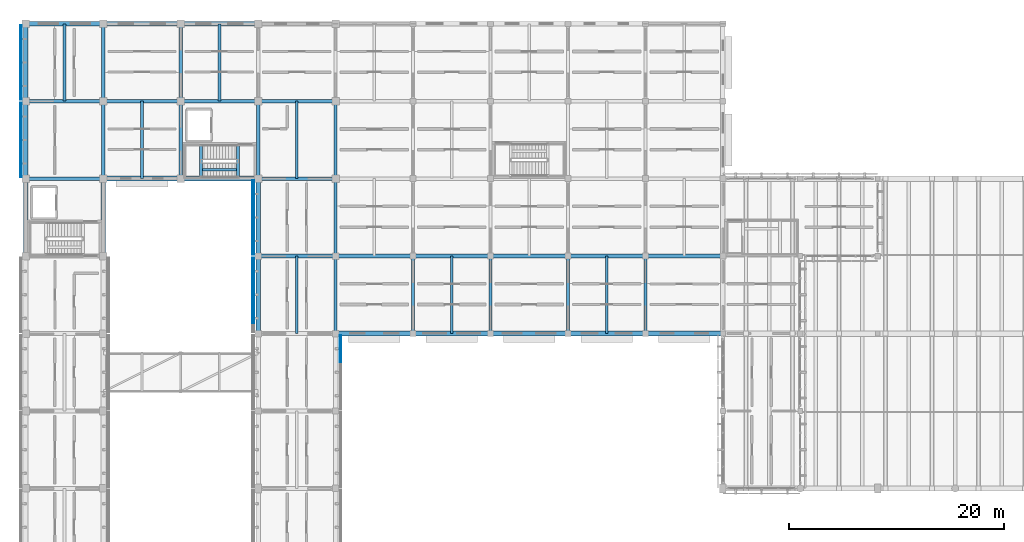
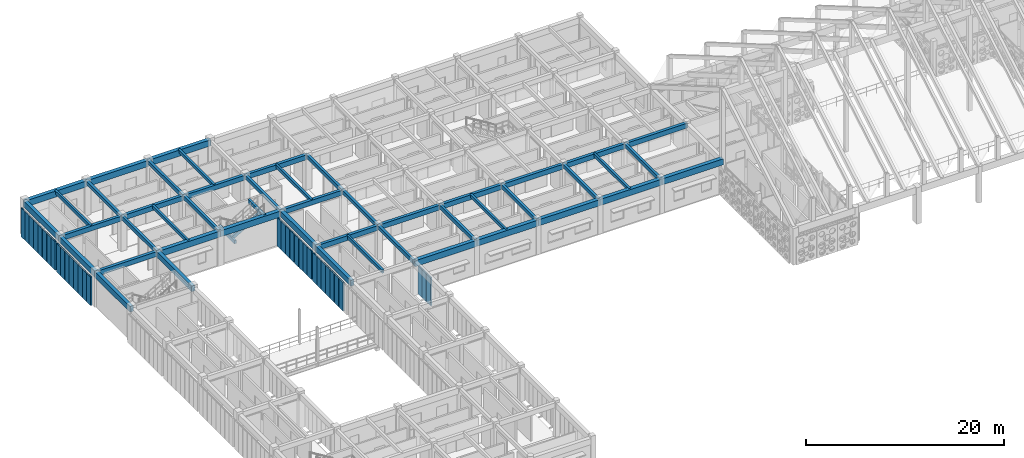
# One storey, part 13 of 171: 50 beams, 34 members, 5 elements without a shape of their own.
"""IFC4 building model written with IfcOpenShell, lengths in metres."""

from ifc_helpers import new_model, si_unit, direction, frame, origin, origin_2d, place, context, subcontext, project, spatial, rectangle, hollow_rectangle, extrude, material, material_profile, profile_set, type_object, element, aggregate, save


model = new_model("IFC4")

# Units and contexts
model_context = context("Model", 3, precision=1e-05, world=origin(), true_north=direction((0.0, 1.0)))
body_context = subcontext(model_context, "Body", "Model", "MODEL_VIEW")
ifc_project = project(units=[si_unit("LENGTHUNIT", "METRE"), si_unit("AREAUNIT", "SQUARE_METRE"), si_unit("VOLUMEUNIT", "CUBIC_METRE"), si_unit("PLANEANGLEUNIT", "RADIAN"), si_unit("MASSUNIT", "GRAM", prefix="KILO")], contexts=[model_context])

# Site, building, storey
site_placement = place(None, origin())
site = spatial("IfcSite", under=ifc_project, at=site_placement, CompositionType="ELEMENT")
building_placement = place(site_placement, origin())
building = spatial("IfcBuilding", under=site, at=building_placement, Name="Aldebral Square Health Centre", CompositionType="ELEMENT")
storey_placement = place(building_placement, frame((0.0, 0.0, 4.5)))
storey = spatial("IfcBuildingStorey", under=building, at=storey_placement, Name="L01", CompositionType="ELEMENT", Elevation=4.5)

# Beams
ifc_material_1 = material(Name="Concrete C40/50", Category="concrete")
ifc_material_profile_1 = material_profile(ifc_material_1, rectangle(XDim=0.35009765625, YDim=0.60009765625, at=origin_2d()), Name="RC 350x600")
ifc_profile_set_1 = profile_set([ifc_material_profile_1], Name="Concrete C40/50")
beam_type_1 = type_object("IfcBeamType", Name="BM-B2", PredefinedType="BEAM", material=ifc_profile_set_1)
for number, where, z_axis, x_axis, name in (
    (1, (0.0, 100.800048828125, 3.919921875), (1.0, 0.0, 0.0), (0.0, 1.0, 0.0), "L01 X-beam 1-2/G15"),
    (2, (0.0, 108.0, 3.919921875), (1.0, 0.0, 0.0), (0.0, 1.0, 0.0), "L01 X-beam 1-2/G16"),
    (3, (7.199951171875, 108.0, 3.919921875), (1.0, 0.0, 0.0), (0.0, 1.0, 0.0), "L01 X-beam 2-3/G16"),
):
    element("IfcBeam", number, at=place(storey_placement, frame(where, z_axis=z_axis, x_axis=x_axis)), inside=storey, type_object=beam_type_1, Name=name, PredefinedType="BEAM", context=body_context, shape_type="SweptSolid", body=[
        extrude(rectangle(XDim=0.35009765625, YDim=0.60009765625, at=origin_2d()), origin(), (0.0, 0.0, 1.0), 7.199951171875),
    ])
beam_1_placement = place(storey_placement, frame((14.39990234375, 108.0, 3.919921875), z_axis=(1.0, 0.0, 0.0), x_axis=(0.0, 1.0, 0.0)))
element("IfcBeam", 4, at=beam_1_placement, inside=storey, type_object=beam_type_1, Name="L01 X-beam 3-4/G16", PredefinedType="BEAM", context=body_context, shape_type="SweptSolid", body=[
    extrude(rectangle(XDim=0.35009765625, YDim=0.60009765625, at=origin_2d()), origin(), (0.0, 0.0, 1.0), 7.2001953125),
])
for number, where, z_axis, x_axis, name in (
    (5, (21.60009765625, 93.60009765625, 3.919921875), (1.0, 0.0, 0.0), (0.0, 1.0, 0.0), "L01 X-beam 4-5/G14"),
    (6, (21.60009765625, 100.800048828125, 3.919921875), (1.0, 0.0, 0.0), (0.0, 1.0, 0.0), "L01 X-beam 4-5/G15"),
    (7, (21.60009765625, 108.0, 3.919921875), (1.0, 0.0, 0.0), (0.0, 1.0, 0.0), "L01 X-beam 4-5/G16"),
    (8, (28.800048828125, 93.60009765625, 3.919921875), (1.0, 0.0, 0.0), (0.0, 1.0, 0.0), "L01 X-beam 5-6/G14"),
    (9, (36.0, 93.60009765625, 3.919921875), (1.0, 0.0, 0.0), (0.0, 1.0, 0.0), "L01 X-beam 6-7/G14"),
    (10, (43.199951171875, 93.60009765625, 3.919921875), (1.0, 0.0, 0.0), (0.0, 1.0, 0.0), "L01 X-beam 7-8/G14"),
):
    element("IfcBeam", number, at=place(storey_placement, frame(where, z_axis=z_axis, x_axis=x_axis)), inside=storey, type_object=beam_type_1, Name=name, PredefinedType="BEAM", context=body_context, shape_type="SweptSolid", body=[
        extrude(rectangle(XDim=0.35009765625, YDim=0.60009765625, at=origin_2d()), origin(), (0.0, 0.0, 1.0), 7.199951171875),
    ])
beam_2_placement = place(storey_placement, frame((50.39990234375, 93.60009765625, 3.919921875), z_axis=(1.0, 0.0, 0.0), x_axis=(0.0, 1.0, 0.0)))
element("IfcBeam", 11, at=beam_2_placement, inside=storey, type_object=beam_type_1, Name="L01 X-beam 8-9/G14", PredefinedType="BEAM", context=body_context, shape_type="SweptSolid", body=[
    extrude(rectangle(XDim=0.35009765625, YDim=0.60009765625, at=origin_2d()), origin(), (0.0, 0.0, 1.0), 7.2001953125),
])
beam_3_placement = place(storey_placement, frame((57.60009765625, 93.60009765625, 3.919921875), z_axis=(1.0, 0.0, 0.0), x_axis=(0.0, 1.0, 0.0)))
element("IfcBeam", 12, at=beam_3_placement, inside=storey, type_object=beam_type_1, Name="L01 X-beam 9-10/G14", PredefinedType="BEAM", context=body_context, shape_type="SweptSolid", body=[
    extrude(rectangle(XDim=0.35009765625, YDim=0.60009765625, at=origin_2d()), origin(), (0.0, 0.0, 1.0), 7.199951171875),
])
ifc_material_profile_2 = material_profile(ifc_material_1, rectangle(XDim=0.300048828125, YDim=0.449951171875, at=origin_2d()), Name="RC 300x450")
ifc_profile_set_2 = profile_set([ifc_material_profile_2], Name="Concrete C40/50")
beam_type_2 = type_object("IfcBeamType", Name="BM-B5", PredefinedType="BEAM", material=ifc_profile_set_2)
for number, where, z_axis, x_axis, name in (
    (13, (7.199951171875, 100.800048828125, 3.9951171875), (0.0, 1.0, 0.0), (-1.0, 0.0, 0.0), "L01 Y-beam G2/15-16"),
    (14, (7.199951171875, 108.0, 3.9951171875), (0.0, 1.0, 0.0), (-1.0, 0.0, 0.0), "L01 Y-beam G2/16-17"),
    (15, (14.39990234375, 100.800048828125, 3.9951171875), (0.0, 1.0, 0.0), (-1.0, 0.0, 0.0), "L01 Y-beam G3/15-16"),
    (16, (14.39990234375, 108.0, 3.9951171875), (0.0, 1.0, 0.0), (-1.0, 0.0, 0.0), "L01 Y-beam G3/16-17"),
    (17, (21.60009765625, 100.800048828125, 3.9951171875), (0.0, 1.0, 0.0), (-1.0, 0.0, 0.0), "L01 Y-beam G4/15-16"),
):
    element("IfcBeam", number, at=place(storey_placement, frame(where, z_axis=z_axis, x_axis=x_axis)), inside=storey, type_object=beam_type_2, Name=name, PredefinedType="BEAM", context=body_context, shape_type="SweptSolid", body=[
        extrude(rectangle(XDim=0.300048828125, YDim=0.449951171875, at=origin_2d()), origin(), (0.0, 0.0, 1.0), 7.199951171875),
    ])
beam_4_placement = place(storey_placement, frame((28.800048828125, 86.39990234375, 3.9951171875), z_axis=(0.0, 1.0, 0.0), x_axis=(-1.0, 0.0, 0.0)))
element("IfcBeam", 18, at=beam_4_placement, inside=storey, type_object=beam_type_2, Name="L01 Y-beam G5/13-14", PredefinedType="BEAM", context=body_context, shape_type="SweptSolid", body=[
    extrude(rectangle(XDim=0.300048828125, YDim=0.449951171875, at=origin_2d()), origin(), (0.0, 0.0, 1.0), 7.2001953125),
])
for number, where, z_axis, x_axis, name in (
    (19, (28.800048828125, 93.60009765625, 3.9951171875), (0.0, 1.0, 0.0), (-1.0, 0.0, 0.0), "L01 Y-beam G5/14-15"),
    (20, (28.800048828125, 100.800048828125, 3.9951171875), (0.0, 1.0, 0.0), (-1.0, 0.0, 0.0), "L01 Y-beam G5/15-16"),
):
    element("IfcBeam", number, at=place(storey_placement, frame(where, z_axis=z_axis, x_axis=x_axis)), inside=storey, type_object=beam_type_2, Name=name, PredefinedType="BEAM", context=body_context, shape_type="SweptSolid", body=[
        extrude(rectangle(XDim=0.300048828125, YDim=0.449951171875, at=origin_2d()), origin(), (0.0, 0.0, 1.0), 7.199951171875),
    ])
for number, where, z_axis, x_axis, name in (
    (21, (36.0, 86.39990234375, 3.9951171875), (0.0, 1.0, 0.0), (-1.0, 0.0, 0.0), "L01 Y-beam G6/13-14"),
    (22, (43.199951171875, 86.39990234375, 3.9951171875), (0.0, 1.0, 0.0), (-1.0, 0.0, 0.0), "L01 Y-beam G7/13-14"),
    (23, (50.39990234375, 86.39990234375, 3.9951171875), (0.0, 1.0, 0.0), (-1.0, 0.0, 0.0), "L01 Y-beam G8/13-14"),
    (24, (57.60009765625, 86.39990234375, 3.9951171875), (0.0, 1.0, 0.0), (-1.0, 0.0, 0.0), "L01 Y-beam G9/13-14"),
):
    element("IfcBeam", number, at=place(storey_placement, frame(where, z_axis=z_axis, x_axis=x_axis)), inside=storey, type_object=beam_type_2, Name=name, PredefinedType="BEAM", context=body_context, shape_type="SweptSolid", body=[
        extrude(rectangle(XDim=0.300048828125, YDim=0.449951171875, at=origin_2d()), origin(), (0.0, 0.0, 1.0), 7.2001953125),
    ])
ifc_material_profile_3 = material_profile(ifc_material_1, rectangle(XDim=0.25, YDim=0.39990234375, at=origin_2d()), Name="RC 250x400")
ifc_profile_set_3 = profile_set([ifc_material_profile_3], Name="Concrete C40/50")
beam_type_3 = type_object("IfcBeamType", Name="BM-B6", PredefinedType="JOIST", material=ifc_profile_set_3)
for number, where, z_axis, x_axis, name in (
    (25, (3.60009765625, 108.0, 4.02001953125), (0.0, 1.0, 0.0), (-1.0, 0.0, 0.0), "L01 secondary rib 1.16"),
    (26, (10.800048828125, 100.800048828125, 4.02001953125), (0.0, 1.0, 0.0), (-1.0, 0.0, 0.0), "L01 secondary rib 2.15"),
    (27, (18.0, 108.0, 4.02001953125), (0.0, 1.0, 0.0), (-1.0, 0.0, 0.0), "L01 secondary rib 3.16"),
):
    element("IfcBeam", number, at=place(storey_placement, frame(where, z_axis=z_axis, x_axis=x_axis)), inside=storey, type_object=beam_type_3, Name=name, PredefinedType="JOIST", context=body_context, shape_type="SweptSolid", body=[
        extrude(rectangle(XDim=0.25, YDim=0.39990234375, at=origin_2d()), origin(), (0.0, 0.0, 1.0), 7.199951171875),
    ])
beam_5_placement = place(storey_placement, frame((25.199951171875, 86.39990234375, 4.02001953125), z_axis=(0.0, 1.0, 0.0), x_axis=(-1.0, 0.0, 0.0)))
element("IfcBeam", 28, at=beam_5_placement, inside=storey, type_object=beam_type_3, Name="L01 secondary rib 4.13", PredefinedType="JOIST", context=body_context, shape_type="SweptSolid", body=[
    extrude(rectangle(XDim=0.25, YDim=0.39990234375, at=origin_2d()), origin(), (0.0, 0.0, 1.0), 7.2001953125),
])
beam_6_placement = place(storey_placement, frame((25.199951171875, 100.800048828125, 4.02001953125), z_axis=(0.0, 1.0, 0.0), x_axis=(-1.0, 0.0, 0.0)))
element("IfcBeam", 29, at=beam_6_placement, inside=storey, type_object=beam_type_3, Name="L01 secondary rib 4.15", PredefinedType="JOIST", context=body_context, shape_type="SweptSolid", body=[
    extrude(rectangle(XDim=0.25, YDim=0.39990234375, at=origin_2d()), origin(), (0.0, 0.0, 1.0), 7.199951171875),
])
for number, where, z_axis, x_axis, name in (
    (30, (39.60009765625, 86.39990234375, 4.02001953125), (0.0, 1.0, 0.0), (-1.0, 0.0, 0.0), "L01 secondary rib 6.13"),
    (31, (54.0, 86.39990234375, 4.02001953125), (0.0, 1.0, 0.0), (-1.0, 0.0, 0.0), "L01 secondary rib 8.13"),
):
    element("IfcBeam", number, at=place(storey_placement, frame(where, z_axis=z_axis, x_axis=x_axis)), inside=storey, type_object=beam_type_3, Name=name, PredefinedType="JOIST", context=body_context, shape_type="SweptSolid", body=[
        extrude(rectangle(XDim=0.25, YDim=0.39990234375, at=origin_2d()), origin(), (0.0, 0.0, 1.0), 7.2001953125),
    ])
for number, where, z_axis, x_axis, name in (
    (32, (16.280029296875, 100.81005859375, 2.050048828125), (0.0, 1.0, 0.0), (-1.0, 0.0, 0.0), "L01 WC-C2 half-landing beam"),
    (33, (19.719970703125, 100.81005859375, 4.02001953125), (0.0, 1.0, 0.0), (-1.0, 0.0, 0.0), "L01 WC-C2 upper landing beam"),
):
    element("IfcBeam", number, at=place(storey_placement, frame(where, z_axis=z_axis, x_axis=x_axis)), inside=storey, type_object=beam_type_3, Name=name, PredefinedType="JOIST", context=body_context, shape_type="SweptSolid", body=[
        extrude(rectangle(XDim=0.25, YDim=0.39990234375, at=origin_2d()), origin(), (0.0, 0.0, 1.0), 3.219970703125),
    ])
beam_7_placement = place(storey_placement, frame((16.280029296875, 101.6201171875, 2.050048828125), z_axis=(0.867776584178, 0.0, 0.496954525034), x_axis=(0.0, 1.0, 0.0)))
element("IfcBeam", 34, at=beam_7_placement, inside=storey, type_object=beam_type_3, Name="L01 WC-C2 flight stringer beam", PredefinedType="JOIST", context=body_context, shape_type="SweptSolid", body=[
    extrude(rectangle(XDim=0.25, YDim=0.39990234375, at=origin_2d()), origin(), (0.0, 0.0, 1.0), 3.964111328125),
])
ifc_material_profile_4 = material_profile(ifc_material_1, rectangle(XDim=0.449951171875, YDim=0.75, at=origin_2d()), Name="RC 450x750")
ifc_profile_set_4 = profile_set([ifc_material_profile_4], Name="Concrete C40/50")
beam_type_4 = type_object("IfcBeamType", Name="BM-G2", PredefinedType="T_BEAM", material=ifc_profile_set_4)
for number, where, z_axis, x_axis, name in (
    (35, (0.0, 115.199951171875, 3.844970703125), (1.0, 0.0, 0.0), (0.0, 1.0, 0.0), "L01 X-beam 1-2/G17"),
    (36, (7.199951171875, 100.800048828125, 3.844970703125), (1.0, 0.0, 0.0), (0.0, 1.0, 0.0), "L01 X-beam 2-3/G15"),
    (37, (7.199951171875, 115.199951171875, 3.844970703125), (1.0, 0.0, 0.0), (0.0, 1.0, 0.0), "L01 X-beam 2-3/G17"),
):
    element("IfcBeam", number, at=place(storey_placement, frame(where, z_axis=z_axis, x_axis=x_axis)), inside=storey, type_object=beam_type_4, Name=name, PredefinedType="T_BEAM", context=body_context, shape_type="SweptSolid", body=[
        extrude(rectangle(XDim=0.449951171875, YDim=0.75, at=origin_2d()), origin(), (0.0, 0.0, 1.0), 7.199951171875),
    ])
for number, where, z_axis, x_axis, name in (
    (38, (14.39990234375, 100.800048828125, 3.844970703125), (1.0, 0.0, 0.0), (0.0, 1.0, 0.0), "L01 X-beam 3-4/G15"),
    (39, (14.39990234375, 115.199951171875, 3.844970703125), (1.0, 0.0, 0.0), (0.0, 1.0, 0.0), "L01 X-beam 3-4/G17"),
):
    element("IfcBeam", number, at=place(storey_placement, frame(where, z_axis=z_axis, x_axis=x_axis)), inside=storey, type_object=beam_type_4, Name=name, PredefinedType="T_BEAM", context=body_context, shape_type="SweptSolid", body=[
        extrude(rectangle(XDim=0.449951171875, YDim=0.75, at=origin_2d()), origin(), (0.0, 0.0, 1.0), 7.2001953125),
    ])
for number, where, z_axis, x_axis, name in (
    (40, (28.800048828125, 86.39990234375, 3.844970703125), (1.0, 0.0, 0.0), (0.0, 1.0, 0.0), "L01 X-beam 5-6/G13"),
    (41, (36.0, 86.39990234375, 3.844970703125), (1.0, 0.0, 0.0), (0.0, 1.0, 0.0), "L01 X-beam 6-7/G13"),
    (42, (43.199951171875, 86.39990234375, 3.844970703125), (1.0, 0.0, 0.0), (0.0, 1.0, 0.0), "L01 X-beam 7-8/G13"),
):
    element("IfcBeam", number, at=place(storey_placement, frame(where, z_axis=z_axis, x_axis=x_axis)), inside=storey, type_object=beam_type_4, Name=name, PredefinedType="T_BEAM", context=body_context, shape_type="SweptSolid", body=[
        extrude(rectangle(XDim=0.449951171875, YDim=0.75, at=origin_2d()), origin(), (0.0, 0.0, 1.0), 7.199951171875),
    ])
beam_8_placement = place(storey_placement, frame((50.39990234375, 86.39990234375, 3.844970703125), z_axis=(1.0, 0.0, 0.0), x_axis=(0.0, 1.0, 0.0)))
element("IfcBeam", 43, at=beam_8_placement, inside=storey, type_object=beam_type_4, Name="L01 X-beam 8-9/G13", PredefinedType="T_BEAM", context=body_context, shape_type="SweptSolid", body=[
    extrude(rectangle(XDim=0.449951171875, YDim=0.75, at=origin_2d()), origin(), (0.0, 0.0, 1.0), 7.2001953125),
])
beam_9_placement = place(storey_placement, frame((57.60009765625, 86.39990234375, 3.844970703125), z_axis=(1.0, 0.0, 0.0), x_axis=(0.0, 1.0, 0.0)))
element("IfcBeam", 44, at=beam_9_placement, inside=storey, type_object=beam_type_4, Name="L01 X-beam 9-10/G13", PredefinedType="T_BEAM", context=body_context, shape_type="SweptSolid", body=[
    extrude(rectangle(XDim=0.449951171875, YDim=0.75, at=origin_2d()), origin(), (0.0, 0.0, 1.0), 7.199951171875),
])
ifc_material_profile_5 = material_profile(ifc_material_1, rectangle(XDim=0.39990234375, YDim=0.699951171875, at=origin_2d()), Name="RC 400x700")
ifc_profile_set_5 = profile_set([ifc_material_profile_5], Name="Concrete C40/50")
beam_type_5 = type_object("IfcBeamType", Name="BM-G3", PredefinedType="T_BEAM", material=ifc_profile_set_5)
for number, where, z_axis, x_axis, name in (
    (45, (0.0, 93.60009765625, 3.8701171875), (0.0, 1.0, 0.0), (-1.0, 0.0, 0.0), "L01 Y-beam G1/14-15"),
    (46, (0.0, 100.800048828125, 3.8701171875), (0.0, 1.0, 0.0), (-1.0, 0.0, 0.0), "L01 Y-beam G1/15-16"),
    (47, (0.0, 108.0, 3.8701171875), (0.0, 1.0, 0.0), (-1.0, 0.0, 0.0), "L01 Y-beam G1/16-17"),
    (48, (7.199951171875, 93.60009765625, 3.8701171875), (0.0, 1.0, 0.0), (-1.0, 0.0, 0.0), "L01 Y-beam G2/14-15"),
):
    element("IfcBeam", number, at=place(storey_placement, frame(where, z_axis=z_axis, x_axis=x_axis)), inside=storey, type_object=beam_type_5, Name=name, PredefinedType="T_BEAM", context=body_context, shape_type="SweptSolid", body=[
        extrude(rectangle(XDim=0.39990234375, YDim=0.699951171875, at=origin_2d()), origin(), (0.0, 0.0, 1.0), 7.199951171875),
    ])
beam_10_placement = place(storey_placement, frame((21.60009765625, 86.39990234375, 3.8701171875), z_axis=(0.0, 1.0, 0.0), x_axis=(-1.0, 0.0, 0.0)))
element("IfcBeam", 49, at=beam_10_placement, inside=storey, type_object=beam_type_5, Name="L01 Y-beam G4/13-14", PredefinedType="T_BEAM", context=body_context, shape_type="SweptSolid", body=[
    extrude(rectangle(XDim=0.39990234375, YDim=0.699951171875, at=origin_2d()), origin(), (0.0, 0.0, 1.0), 7.2001953125),
])
beam_11_placement = place(storey_placement, frame((21.60009765625, 93.60009765625, 3.8701171875), z_axis=(0.0, 1.0, 0.0), x_axis=(-1.0, 0.0, 0.0)))
element("IfcBeam", 50, at=beam_11_placement, inside=storey, type_object=beam_type_5, Name="L01 Y-beam G4/14-15", PredefinedType="T_BEAM", context=body_context, shape_type="SweptSolid", body=[
    extrude(rectangle(XDim=0.39990234375, YDim=0.699951171875, at=origin_2d()), origin(), (0.0, 0.0, 1.0), 7.199951171875),
])

# Curtain wall, members
ifc_material_2 = material(Name="Aluminium and low-E solar glass", Category="aluminium")
curtain_wall_type = type_object("IfcCurtainWallType", Name="CW-FIN-SYS", PredefinedType="USERDEFINED", material=ifc_material_2)
curtain_wall_1_placement = place(storey_placement, origin())
curtain_wall_1 = element("IfcCurtainWall", 51, at=curtain_wall_1_placement, inside=storey, type_object=curtain_wall_type, Name="L01 V4 finned curtain wall L01-V4-00-14-W", ObjectType="SOLAR_CURTAIN_WALL", PredefinedType="USERDEFINED")
ifc_material_3 = material(Name="Sienna-terracotta clad aluminium fin", Category="masonry")
ifc_material_profile_6 = material_profile(ifc_material_3, hollow_rectangle(XDim=0.159912109375, YDim=0.85009765625, WallThickness=0.006103515625, at=origin_2d()), Name="FIN 160x850x6")
ifc_profile_set_6 = profile_set([ifc_material_profile_6], Name="Sienna-terracotta clad aluminium fin")
member_type = type_object("IfcMemberType", Name="CWM-FIN", PredefinedType="MULLION", material=ifc_profile_set_6)
member_1_placement = place(storey_placement, frame((-0.4599609375, 107.43994140625, 0.0), z_axis=(0.0, 0.0, 1.0), x_axis=(1.0, 0.0, 0.0)))
member_1 = element("IfcMember", 52, at=member_1_placement, type_object=member_type, Name="CW1 mullion 1", PredefinedType="MULLION", context=body_context, shape_type="SweptSolid", body=[
    extrude(hollow_rectangle(XDim=0.159912109375, YDim=0.85009765625, WallThickness=0.006103515625, at=origin_2d()), origin(), (0.0, 0.0, 1.0), 3.52001953125),
])
member_2_placement = place(storey_placement, frame((-0.4599609375, 106.628662109375, 0.0), z_axis=(0.0, 0.0, 1.0), x_axis=(1.0, 0.0, 0.0)))
member_2 = element("IfcMember", 53, at=member_2_placement, type_object=member_type, Name="CW1 mullion 2", PredefinedType="MULLION", context=body_context, shape_type="SweptSolid", body=[
    extrude(hollow_rectangle(XDim=0.159912109375, YDim=0.85009765625, WallThickness=0.006103515625, at=origin_2d()), origin(), (0.0, 0.0, 1.0), 3.52001953125),
])
member_3_placement = place(storey_placement, frame((-0.4599609375, 105.737060546875, 0.0), z_axis=(0.0, 0.0, 1.0), x_axis=(1.0, 0.0, 0.0)))
member_3 = element("IfcMember", 54, at=member_3_placement, type_object=member_type, Name="CW1 mullion 3", PredefinedType="MULLION", context=body_context, shape_type="SweptSolid", body=[
    extrude(hollow_rectangle(XDim=0.159912109375, YDim=0.85009765625, WallThickness=0.006103515625, at=origin_2d()), origin(), (0.0, 0.0, 1.0), 3.52001953125),
])
member_4_placement = place(storey_placement, frame((-0.4599609375, 104.845703125, 0.0), z_axis=(0.0, 0.0, 1.0), x_axis=(1.0, 0.0, 0.0)))
member_4 = element("IfcMember", 55, at=member_4_placement, type_object=member_type, Name="CW1 mullion 4", PredefinedType="MULLION", context=body_context, shape_type="SweptSolid", body=[
    extrude(hollow_rectangle(XDim=0.159912109375, YDim=0.85009765625, WallThickness=0.006103515625, at=origin_2d()), origin(), (0.0, 0.0, 1.0), 3.52001953125),
])
member_5_placement = place(storey_placement, frame((-0.4599609375, 103.954345703125, 0.0), z_axis=(0.0, 0.0, 1.0), x_axis=(1.0, 0.0, 0.0)))
member_5 = element("IfcMember", 56, at=member_5_placement, type_object=member_type, Name="CW1 mullion 5", PredefinedType="MULLION", context=body_context, shape_type="SweptSolid", body=[
    extrude(hollow_rectangle(XDim=0.159912109375, YDim=0.85009765625, WallThickness=0.006103515625, at=origin_2d()), origin(), (0.0, 0.0, 1.0), 3.52001953125),
])
member_6_placement = place(storey_placement, frame((-0.4599609375, 103.062744140625, 0.0), z_axis=(0.0, 0.0, 1.0), x_axis=(1.0, 0.0, 0.0)))
member_6 = element("IfcMember", 57, at=member_6_placement, type_object=member_type, Name="CW1 mullion 6", PredefinedType="MULLION", context=body_context, shape_type="SweptSolid", body=[
    extrude(hollow_rectangle(XDim=0.159912109375, YDim=0.85009765625, WallThickness=0.006103515625, at=origin_2d()), origin(), (0.0, 0.0, 1.0), 3.52001953125),
])
member_7_placement = place(storey_placement, frame((-0.4599609375, 102.17138671875, 0.0), z_axis=(0.0, 0.0, 1.0), x_axis=(1.0, 0.0, 0.0)))
member_7 = element("IfcMember", 58, at=member_7_placement, type_object=member_type, Name="CW1 mullion 7", PredefinedType="MULLION", context=body_context, shape_type="SweptSolid", body=[
    extrude(hollow_rectangle(XDim=0.159912109375, YDim=0.85009765625, WallThickness=0.006103515625, at=origin_2d()), origin(), (0.0, 0.0, 1.0), 3.52001953125),
])
member_8_placement = place(storey_placement, frame((-0.4599609375, 101.360107421875, 0.0), z_axis=(0.0, 0.0, 1.0), x_axis=(1.0, 0.0, 0.0)))
member_8 = element("IfcMember", 59, at=member_8_placement, type_object=member_type, Name="CW1 mullion 8", PredefinedType="MULLION", context=body_context, shape_type="SweptSolid", body=[
    extrude(hollow_rectangle(XDim=0.159912109375, YDim=0.85009765625, WallThickness=0.006103515625, at=origin_2d()), origin(), (0.0, 0.0, 1.0), 3.52001953125),
])
aggregate(curtain_wall_1, [member_1, member_2, member_3, member_4, member_5, member_6, member_7, member_8])

curtain_wall_2_placement = place(storey_placement, origin())
curtain_wall_2 = element("IfcCurtainWall", 60, at=curtain_wall_2_placement, inside=storey, type_object=curtain_wall_type, Name="L01 V4 finned curtain wall L01-V4-00-15-W", ObjectType="SOLAR_CURTAIN_WALL", PredefinedType="USERDEFINED")
member_9_placement = place(storey_placement, frame((-0.4599609375, 114.639892578125, 0.0), z_axis=(0.0, 0.0, 1.0), x_axis=(1.0, 0.0, 0.0)))
member_9 = element("IfcMember", 61, at=member_9_placement, type_object=member_type, Name="CW1 mullion 1", PredefinedType="MULLION", context=body_context, shape_type="SweptSolid", body=[
    extrude(hollow_rectangle(XDim=0.159912109375, YDim=0.85009765625, WallThickness=0.006103515625, at=origin_2d()), origin(), (0.0, 0.0, 1.0), 3.52001953125),
])
member_10_placement = place(storey_placement, frame((-0.4599609375, 113.82861328125, 0.0), z_axis=(0.0, 0.0, 1.0), x_axis=(1.0, 0.0, 0.0)))
member_10 = element("IfcMember", 62, at=member_10_placement, type_object=member_type, Name="CW1 mullion 2", PredefinedType="MULLION", context=body_context, shape_type="SweptSolid", body=[
    extrude(hollow_rectangle(XDim=0.159912109375, YDim=0.85009765625, WallThickness=0.006103515625, at=origin_2d()), origin(), (0.0, 0.0, 1.0), 3.52001953125),
])
member_11_placement = place(storey_placement, frame((-0.4599609375, 112.937255859375, 0.0), z_axis=(0.0, 0.0, 1.0), x_axis=(1.0, 0.0, 0.0)))
member_11 = element("IfcMember", 63, at=member_11_placement, type_object=member_type, Name="CW1 mullion 3", PredefinedType="MULLION", context=body_context, shape_type="SweptSolid", body=[
    extrude(hollow_rectangle(XDim=0.159912109375, YDim=0.85009765625, WallThickness=0.006103515625, at=origin_2d()), origin(), (0.0, 0.0, 1.0), 3.52001953125),
])
member_12_placement = place(storey_placement, frame((-0.4599609375, 112.045654296875, 0.0), z_axis=(0.0, 0.0, 1.0), x_axis=(1.0, 0.0, 0.0)))
member_12 = element("IfcMember", 64, at=member_12_placement, type_object=member_type, Name="CW1 mullion 4", PredefinedType="MULLION", context=body_context, shape_type="SweptSolid", body=[
    extrude(hollow_rectangle(XDim=0.159912109375, YDim=0.85009765625, WallThickness=0.006103515625, at=origin_2d()), origin(), (0.0, 0.0, 1.0), 3.52001953125),
])
member_13_placement = place(storey_placement, frame((-0.4599609375, 111.154296875, 0.0), z_axis=(0.0, 0.0, 1.0), x_axis=(1.0, 0.0, 0.0)))
member_13 = element("IfcMember", 65, at=member_13_placement, type_object=member_type, Name="CW1 mullion 5", PredefinedType="MULLION", context=body_context, shape_type="SweptSolid", body=[
    extrude(hollow_rectangle(XDim=0.159912109375, YDim=0.85009765625, WallThickness=0.006103515625, at=origin_2d()), origin(), (0.0, 0.0, 1.0), 3.52001953125),
])
member_14_placement = place(storey_placement, frame((-0.4599609375, 110.262939453125, 0.0), z_axis=(0.0, 0.0, 1.0), x_axis=(1.0, 0.0, 0.0)))
member_14 = element("IfcMember", 66, at=member_14_placement, type_object=member_type, Name="CW1 mullion 6", PredefinedType="MULLION", context=body_context, shape_type="SweptSolid", body=[
    extrude(hollow_rectangle(XDim=0.159912109375, YDim=0.85009765625, WallThickness=0.006103515625, at=origin_2d()), origin(), (0.0, 0.0, 1.0), 3.52001953125),
])
member_15_placement = place(storey_placement, frame((-0.4599609375, 109.371337890625, 0.0), z_axis=(0.0, 0.0, 1.0), x_axis=(1.0, 0.0, 0.0)))
member_15 = element("IfcMember", 67, at=member_15_placement, type_object=member_type, Name="CW1 mullion 7", PredefinedType="MULLION", context=body_context, shape_type="SweptSolid", body=[
    extrude(hollow_rectangle(XDim=0.159912109375, YDim=0.85009765625, WallThickness=0.006103515625, at=origin_2d()), origin(), (0.0, 0.0, 1.0), 3.52001953125),
])
member_16_placement = place(storey_placement, frame((-0.4599609375, 108.56005859375, 0.0), z_axis=(0.0, 0.0, 1.0), x_axis=(1.0, 0.0, 0.0)))
member_16 = element("IfcMember", 68, at=member_16_placement, type_object=member_type, Name="CW1 mullion 8", PredefinedType="MULLION", context=body_context, shape_type="SweptSolid", body=[
    extrude(hollow_rectangle(XDim=0.159912109375, YDim=0.85009765625, WallThickness=0.006103515625, at=origin_2d()), origin(), (0.0, 0.0, 1.0), 3.52001953125),
])
aggregate(curtain_wall_2, [member_9, member_10, member_11, member_12, member_13, member_14, member_15, member_16])

curtain_wall_3_placement = place(storey_placement, origin())
curtain_wall_3 = element("IfcCurtainWall", 69, at=curtain_wall_3_placement, inside=storey, type_object=curtain_wall_type, Name="L01 V4 finned curtain wall L01-V4-03-11-E", ObjectType="SOLAR_CURTAIN_WALL", PredefinedType="USERDEFINED")
member_17_placement = place(storey_placement, frame((29.260009765625, 84.13720703125, 0.0), z_axis=(0.0, 0.0, 1.0), x_axis=(-1.0, 0.0, 0.0)))
member_17 = element("IfcMember", 70, at=member_17_placement, type_object=member_type, Name="CW1 mullion 6", PredefinedType="MULLION", context=body_context, shape_type="SweptSolid", body=[
    extrude(hollow_rectangle(XDim=0.159912109375, YDim=0.85009765625, WallThickness=0.006103515625, at=origin_2d()), origin(), (0.0, 0.0, 1.0), 3.52001953125),
])
member_18_placement = place(storey_placement, frame((29.260009765625, 85.028564453125, 0.0), z_axis=(0.0, 0.0, 1.0), x_axis=(-1.0, 0.0, 0.0)))
member_18 = element("IfcMember", 71, at=member_18_placement, type_object=member_type, Name="CW1 mullion 7", PredefinedType="MULLION", context=body_context, shape_type="SweptSolid", body=[
    extrude(hollow_rectangle(XDim=0.159912109375, YDim=0.85009765625, WallThickness=0.006103515625, at=origin_2d()), origin(), (0.0, 0.0, 1.0), 3.52001953125),
])
member_19_placement = place(storey_placement, frame((29.260009765625, 85.840087890625, 0.0), z_axis=(0.0, 0.0, 1.0), x_axis=(-1.0, 0.0, 0.0)))
member_19 = element("IfcMember", 72, at=member_19_placement, type_object=member_type, Name="CW1 mullion 8", PredefinedType="MULLION", context=body_context, shape_type="SweptSolid", body=[
    extrude(hollow_rectangle(XDim=0.159912109375, YDim=0.85009765625, WallThickness=0.006103515625, at=origin_2d()), origin(), (0.0, 0.0, 1.0), 3.52001953125),
])
aggregate(curtain_wall_3, [member_17, member_18, member_19])

curtain_wall_4_placement = place(storey_placement, origin())
curtain_wall_4 = element("IfcCurtainWall", 73, at=curtain_wall_4_placement, inside=storey, type_object=curtain_wall_type, Name="L01 V4 finned curtain wall L01-V4-03-12-W", ObjectType="SOLAR_CURTAIN_WALL", PredefinedType="USERDEFINED")
member_20_placement = place(storey_placement, frame((21.139892578125, 93.0400390625, 0.0), z_axis=(0.0, 0.0, 1.0), x_axis=(1.0, 0.0, 0.0)))
member_20 = element("IfcMember", 74, at=member_20_placement, type_object=member_type, Name="CW1 mullion 1", PredefinedType="MULLION", context=body_context, shape_type="SweptSolid", body=[
    extrude(hollow_rectangle(XDim=0.159912109375, YDim=0.85009765625, WallThickness=0.006103515625, at=origin_2d()), origin(), (0.0, 0.0, 1.0), 3.52001953125),
])
member_21_placement = place(storey_placement, frame((21.139892578125, 92.228515625, 0.0), z_axis=(0.0, 0.0, 1.0), x_axis=(1.0, 0.0, 0.0)))
member_21 = element("IfcMember", 75, at=member_21_placement, type_object=member_type, Name="CW1 mullion 2", PredefinedType="MULLION", context=body_context, shape_type="SweptSolid", body=[
    extrude(hollow_rectangle(XDim=0.159912109375, YDim=0.85009765625, WallThickness=0.006103515625, at=origin_2d()), origin(), (0.0, 0.0, 1.0), 3.52001953125),
])
member_22_placement = place(storey_placement, frame((21.139892578125, 91.337158203125, 0.0), z_axis=(0.0, 0.0, 1.0), x_axis=(1.0, 0.0, 0.0)))
member_22 = element("IfcMember", 76, at=member_22_placement, type_object=member_type, Name="CW1 mullion 3", PredefinedType="MULLION", context=body_context, shape_type="SweptSolid", body=[
    extrude(hollow_rectangle(XDim=0.159912109375, YDim=0.85009765625, WallThickness=0.006103515625, at=origin_2d()), origin(), (0.0, 0.0, 1.0), 3.52001953125),
])
member_23_placement = place(storey_placement, frame((21.139892578125, 90.44580078125, 0.0), z_axis=(0.0, 0.0, 1.0), x_axis=(1.0, 0.0, 0.0)))
member_23 = element("IfcMember", 77, at=member_23_placement, type_object=member_type, Name="CW1 mullion 4", PredefinedType="MULLION", context=body_context, shape_type="SweptSolid", body=[
    extrude(hollow_rectangle(XDim=0.159912109375, YDim=0.85009765625, WallThickness=0.006103515625, at=origin_2d()), origin(), (0.0, 0.0, 1.0), 3.52001953125),
])
member_24_placement = place(storey_placement, frame((21.139892578125, 89.55419921875, 0.0), z_axis=(0.0, 0.0, 1.0), x_axis=(1.0, 0.0, 0.0)))
member_24 = element("IfcMember", 78, at=member_24_placement, type_object=member_type, Name="CW1 mullion 5", PredefinedType="MULLION", context=body_context, shape_type="SweptSolid", body=[
    extrude(hollow_rectangle(XDim=0.159912109375, YDim=0.85009765625, WallThickness=0.006103515625, at=origin_2d()), origin(), (0.0, 0.0, 1.0), 3.52001953125),
])
member_25_placement = place(storey_placement, frame((21.139892578125, 88.662841796875, 0.0), z_axis=(0.0, 0.0, 1.0), x_axis=(1.0, 0.0, 0.0)))
member_25 = element("IfcMember", 79, at=member_25_placement, type_object=member_type, Name="CW1 mullion 6", PredefinedType="MULLION", context=body_context, shape_type="SweptSolid", body=[
    extrude(hollow_rectangle(XDim=0.159912109375, YDim=0.85009765625, WallThickness=0.006103515625, at=origin_2d()), origin(), (0.0, 0.0, 1.0), 3.52001953125),
])
member_26_placement = place(storey_placement, frame((21.139892578125, 87.771484375, 0.0), z_axis=(0.0, 0.0, 1.0), x_axis=(1.0, 0.0, 0.0)))
member_26 = element("IfcMember", 80, at=member_26_placement, type_object=member_type, Name="CW1 mullion 7", PredefinedType="MULLION", context=body_context, shape_type="SweptSolid", body=[
    extrude(hollow_rectangle(XDim=0.159912109375, YDim=0.85009765625, WallThickness=0.006103515625, at=origin_2d()), origin(), (0.0, 0.0, 1.0), 3.52001953125),
])
aggregate(curtain_wall_4, [member_20, member_21, member_22, member_23, member_24, member_25, member_26])

curtain_wall_5_placement = place(storey_placement, origin())
curtain_wall_5 = element("IfcCurtainWall", 81, at=curtain_wall_5_placement, inside=storey, type_object=curtain_wall_type, Name="L01 V4 finned curtain wall L01-V4-03-13-W", ObjectType="SOLAR_CURTAIN_WALL", PredefinedType="USERDEFINED")
member_27_placement = place(storey_placement, frame((21.139892578125, 100.239990234375, 0.0), z_axis=(0.0, 0.0, 1.0), x_axis=(1.0, 0.0, 0.0)))
member_27 = element("IfcMember", 82, at=member_27_placement, type_object=member_type, Name="CW1 mullion 1", PredefinedType="MULLION", context=body_context, shape_type="SweptSolid", body=[
    extrude(hollow_rectangle(XDim=0.159912109375, YDim=0.85009765625, WallThickness=0.006103515625, at=origin_2d()), origin(), (0.0, 0.0, 1.0), 3.52001953125),
])
member_28_placement = place(storey_placement, frame((21.139892578125, 99.428466796875, 0.0), z_axis=(0.0, 0.0, 1.0), x_axis=(1.0, 0.0, 0.0)))
member_28 = element("IfcMember", 83, at=member_28_placement, type_object=member_type, Name="CW1 mullion 2", PredefinedType="MULLION", context=body_context, shape_type="SweptSolid", body=[
    extrude(hollow_rectangle(XDim=0.159912109375, YDim=0.85009765625, WallThickness=0.006103515625, at=origin_2d()), origin(), (0.0, 0.0, 1.0), 3.52001953125),
])
member_29_placement = place(storey_placement, frame((21.139892578125, 98.537109375, 0.0), z_axis=(0.0, 0.0, 1.0), x_axis=(1.0, 0.0, 0.0)))
member_29 = element("IfcMember", 84, at=member_29_placement, type_object=member_type, Name="CW1 mullion 3", PredefinedType="MULLION", context=body_context, shape_type="SweptSolid", body=[
    extrude(hollow_rectangle(XDim=0.159912109375, YDim=0.85009765625, WallThickness=0.006103515625, at=origin_2d()), origin(), (0.0, 0.0, 1.0), 3.52001953125),
])
member_30_placement = place(storey_placement, frame((21.139892578125, 97.645751953125, 0.0), z_axis=(0.0, 0.0, 1.0), x_axis=(1.0, 0.0, 0.0)))
member_30 = element("IfcMember", 85, at=member_30_placement, type_object=member_type, Name="CW1 mullion 4", PredefinedType="MULLION", context=body_context, shape_type="SweptSolid", body=[
    extrude(hollow_rectangle(XDim=0.159912109375, YDim=0.85009765625, WallThickness=0.006103515625, at=origin_2d()), origin(), (0.0, 0.0, 1.0), 3.52001953125),
])
member_31_placement = place(storey_placement, frame((21.139892578125, 96.75439453125, 0.0), z_axis=(0.0, 0.0, 1.0), x_axis=(1.0, 0.0, 0.0)))
member_31 = element("IfcMember", 86, at=member_31_placement, type_object=member_type, Name="CW1 mullion 5", PredefinedType="MULLION", context=body_context, shape_type="SweptSolid", body=[
    extrude(hollow_rectangle(XDim=0.159912109375, YDim=0.85009765625, WallThickness=0.006103515625, at=origin_2d()), origin(), (0.0, 0.0, 1.0), 3.52001953125),
])
member_32_placement = place(storey_placement, frame((21.139892578125, 95.86279296875, 0.0), z_axis=(0.0, 0.0, 1.0), x_axis=(1.0, 0.0, 0.0)))
member_32 = element("IfcMember", 87, at=member_32_placement, type_object=member_type, Name="CW1 mullion 6", PredefinedType="MULLION", context=body_context, shape_type="SweptSolid", body=[
    extrude(hollow_rectangle(XDim=0.159912109375, YDim=0.85009765625, WallThickness=0.006103515625, at=origin_2d()), origin(), (0.0, 0.0, 1.0), 3.52001953125),
])
member_33_placement = place(storey_placement, frame((21.139892578125, 94.971435546875, 0.0), z_axis=(0.0, 0.0, 1.0), x_axis=(1.0, 0.0, 0.0)))
member_33 = element("IfcMember", 88, at=member_33_placement, type_object=member_type, Name="CW1 mullion 7", PredefinedType="MULLION", context=body_context, shape_type="SweptSolid", body=[
    extrude(hollow_rectangle(XDim=0.159912109375, YDim=0.85009765625, WallThickness=0.006103515625, at=origin_2d()), origin(), (0.0, 0.0, 1.0), 3.52001953125),
])
member_34_placement = place(storey_placement, frame((21.139892578125, 94.159912109375, 0.0), z_axis=(0.0, 0.0, 1.0), x_axis=(1.0, 0.0, 0.0)))
member_34 = element("IfcMember", 89, at=member_34_placement, type_object=member_type, Name="CW1 mullion 8", PredefinedType="MULLION", context=body_context, shape_type="SweptSolid", body=[
    extrude(hollow_rectangle(XDim=0.159912109375, YDim=0.85009765625, WallThickness=0.006103515625, at=origin_2d()), origin(), (0.0, 0.0, 1.0), 3.52001953125),
])
aggregate(curtain_wall_5, [member_27, member_28, member_29, member_30, member_31, member_32, member_33, member_34])

save(model, "model.ifc")
